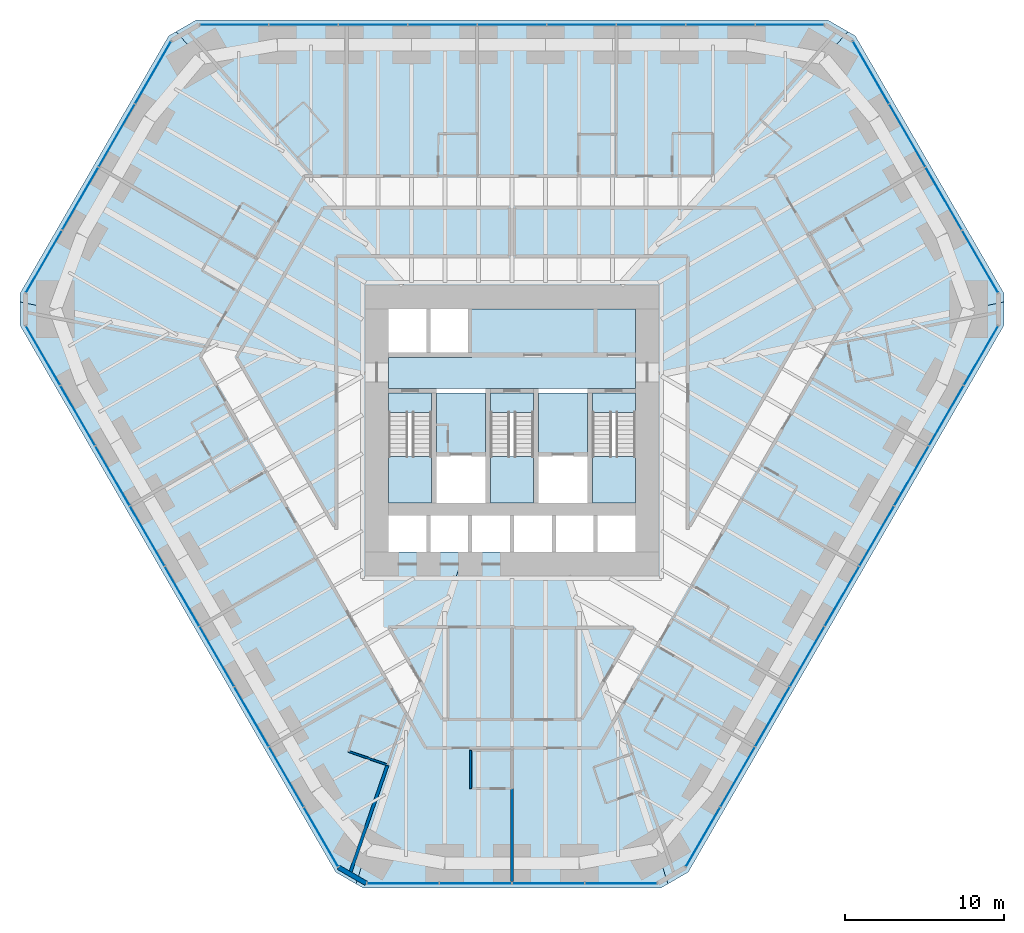
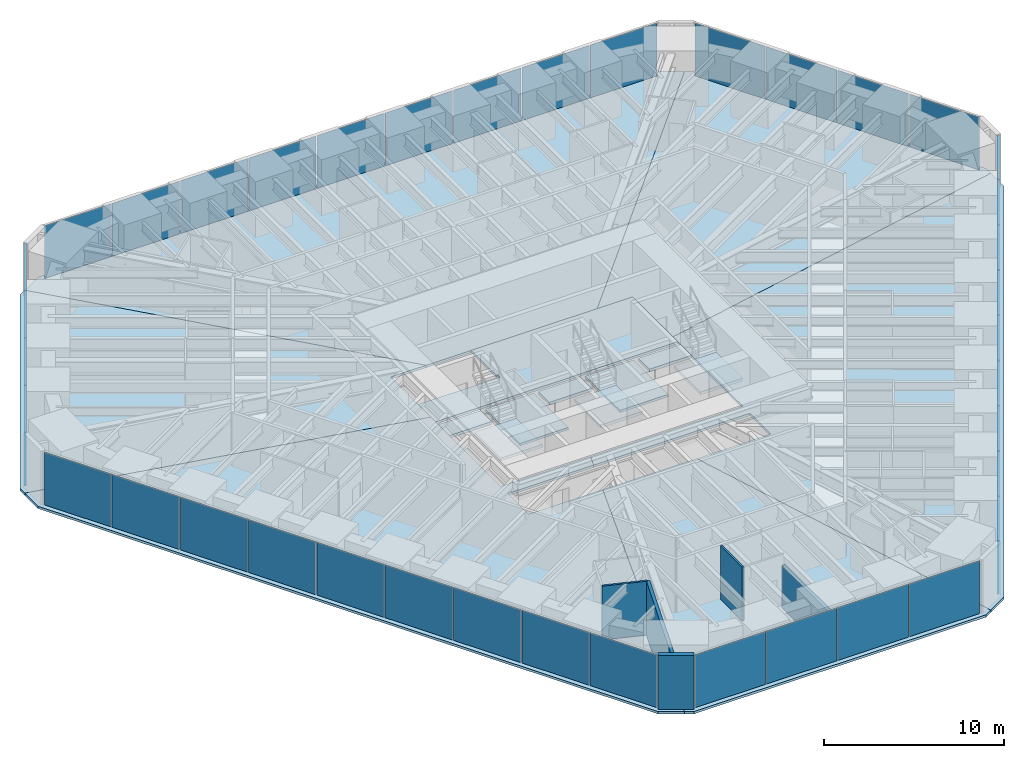
# One storey, part 10 of 17: 39 plates, 15 slabs, 5 walls, 9 elements without a shape of their own.
"""IFC4 building model written with IfcOpenShell, lengths in metres."""

from ifc_helpers import new_model, si_unit, direction, frame, frame_2d, origin, origin_2d, place, context, subcontext, project, spatial, polyline, rectangle, outline, extrude, material, layer, layer_set, type_object, element, aggregate, save


model = new_model("IFC4")

# Units and contexts
model_context = context("Model", 3, precision=1e-05, world=origin(), true_north=direction((0.0, 1.0)))
body_context = subcontext(model_context, "Body", "Model", "MODEL_VIEW")
ifc_project = project(units=[si_unit("LENGTHUNIT", "METRE"), si_unit("AREAUNIT", "SQUARE_METRE"), si_unit("VOLUMEUNIT", "CUBIC_METRE"), si_unit("PLANEANGLEUNIT", "RADIAN"), si_unit("MASSUNIT", "GRAM", prefix="KILO")], contexts=[model_context])

# Site, building, storey
site_placement = place(None, origin())
site = spatial("IfcSite", under=ifc_project, at=site_placement, CompositionType="ELEMENT")
building_placement = place(site_placement, origin())
building = spatial("IfcBuilding", under=site, at=building_placement, Name="Sandreach Pilgrim Tower", CompositionType="ELEMENT")
storey_placement = place(building_placement, frame((0.0, 0.0, 34.39990234375)))
storey = spatial("IfcBuildingStorey", under=building, at=storey_placement, Name="L07", CompositionType="ELEMENT", Elevation=34.39990234375)

# Curtain wall, plates
ifc_material_1 = material(Name="Aluminium framed curtain wall", Category="aluminium")
curtain_wall_type = type_object("IfcCurtainWallType", Name="Hostel tower curtain wall", PredefinedType="NOTDEFINED", material=ifc_material_1)
curtain_wall_1_placement = place(storey_placement, origin())
curtain_wall_1 = element("IfcCurtainWall", 1, at=curtain_wall_1_placement, inside=storey, type_object=curtain_wall_type, Name="CW-1 L07 N", PredefinedType="NOTDEFINED")
ifc_material_2 = material(Name="Insulating glass unit 6 heat-strengthened + 12 argon + 6 heat-strengthened", Category="glass")
ifc_layer_1 = layer(ifc_material_2, 0.02392578125)
ifc_layer_set_1 = layer_set([ifc_layer_1], Name="CW-1 panel")
plate_type = type_object("IfcPlateType", Name="CW-1 panel", PredefinedType="CURTAIN_PANEL", material=ifc_layer_set_1)
plate_1_placement = place(storey_placement, frame((-17.469970703125, 23.94873046875, 0.0), z_axis=(0.0, 0.0, 1.0), x_axis=(1.0, 0.0, 0.0)))
plate_1 = element("IfcPlate", 2, at=plate_1_placement, type_object=plate_type, Name="CW-1 panel 1", PredefinedType="CURTAIN_PANEL", context=body_context, shape_type="SweptSolid", body=[
    extrude(rectangle(XDim=4.274169921875, YDim=0.02392578125, at=origin_2d()), origin(), (0.0, 0.0, 1.0), 3.570068359375),
])
plate_2_placement = place(storey_placement, frame((-13.11474609375, 23.94873046875, 0.0), z_axis=(0.0, 0.0, 1.0), x_axis=(1.0, 0.0, 0.0)))
plate_2 = element("IfcPlate", 3, at=plate_2_placement, type_object=plate_type, Name="CW-1 panel 2", PredefinedType="CURTAIN_PANEL", context=body_context, shape_type="SweptSolid", body=[
    extrude(rectangle(XDim=4.306640625, YDim=0.02392578125, at=origin_2d()), origin(), (0.0, 0.0, 1.0), 3.570068359375),
])
plate_3_placement = place(storey_placement, frame((-8.7431640625, 23.94873046875, 0.0), z_axis=(0.0, 0.0, 1.0), x_axis=(1.0, 0.0, 0.0)))
plate_3 = element("IfcPlate", 4, at=plate_3_placement, type_object=plate_type, Name="CW-1 panel 3", PredefinedType="CURTAIN_PANEL", context=body_context, shape_type="SweptSolid", body=[
    extrude(rectangle(XDim=4.306640625, YDim=0.02392578125, at=origin_2d()), origin(), (0.0, 0.0, 1.0), 3.570068359375),
])
plate_4_placement = place(storey_placement, frame((-4.37158203125, 23.94873046875, 0.0), z_axis=(0.0, 0.0, 1.0), x_axis=(1.0, 0.0, 0.0)))
plate_4 = element("IfcPlate", 5, at=plate_4_placement, type_object=plate_type, Name="CW-1 panel 4", PredefinedType="CURTAIN_PANEL", context=body_context, shape_type="SweptSolid", body=[
    extrude(rectangle(XDim=4.306640625, YDim=0.02392578125, at=origin_2d()), origin(), (0.0, 0.0, 1.0), 3.570068359375),
])
plate_5_placement = place(storey_placement, frame((0.0, 23.94873046875, 0.0), z_axis=(0.0, 0.0, 1.0), x_axis=(1.0, 0.0, 0.0)))
plate_5 = element("IfcPlate", 6, at=plate_5_placement, type_object=plate_type, Name="CW-1 panel 5", PredefinedType="CURTAIN_PANEL", context=body_context, shape_type="SweptSolid", body=[
    extrude(rectangle(XDim=4.306640625, YDim=0.02392578125, at=origin_2d()), origin(), (0.0, 0.0, 1.0), 3.570068359375),
])
plate_6_placement = place(storey_placement, frame((4.37158203125, 23.94873046875, 0.0), z_axis=(0.0, 0.0, 1.0), x_axis=(1.0, 0.0, 0.0)))
plate_6 = element("IfcPlate", 7, at=plate_6_placement, type_object=plate_type, Name="CW-1 panel 6", PredefinedType="CURTAIN_PANEL", context=body_context, shape_type="SweptSolid", body=[
    extrude(rectangle(XDim=4.306640625, YDim=0.02392578125, at=origin_2d()), origin(), (0.0, 0.0, 1.0), 3.570068359375),
])
plate_7_placement = place(storey_placement, frame((8.7431640625, 23.94873046875, 0.0), z_axis=(0.0, 0.0, 1.0), x_axis=(1.0, 0.0, 0.0)))
plate_7 = element("IfcPlate", 8, at=plate_7_placement, type_object=plate_type, Name="CW-1 panel 7", PredefinedType="CURTAIN_PANEL", context=body_context, shape_type="SweptSolid", body=[
    extrude(rectangle(XDim=4.306640625, YDim=0.02392578125, at=origin_2d()), origin(), (0.0, 0.0, 1.0), 3.570068359375),
])
plate_8_placement = place(storey_placement, frame((13.11474609375, 23.94873046875, 0.0), z_axis=(0.0, 0.0, 1.0), x_axis=(1.0, 0.0, 0.0)))
plate_8 = element("IfcPlate", 9, at=plate_8_placement, type_object=plate_type, Name="CW-1 panel 8", PredefinedType="CURTAIN_PANEL", context=body_context, shape_type="SweptSolid", body=[
    extrude(rectangle(XDim=4.306640625, YDim=0.02392578125, at=origin_2d()), origin(), (0.0, 0.0, 1.0), 3.570068359375),
])
plate_9_placement = place(storey_placement, frame((17.469970703125, 23.94873046875, 0.0), z_axis=(0.0, 0.0, 1.0), x_axis=(1.0, 0.0, 0.0)))
plate_9 = element("IfcPlate", 10, at=plate_9_placement, type_object=plate_type, Name="CW-1 panel 9", PredefinedType="CURTAIN_PANEL", context=body_context, shape_type="SweptSolid", body=[
    extrude(rectangle(XDim=4.274169921875, YDim=0.02392578125, at=origin_2d()), origin(), (0.0, 0.0, 1.0), 3.570068359375),
])
aggregate(curtain_wall_1, [plate_1, plate_2, plate_3, plate_4, plate_5, plate_6, plate_7, plate_8, plate_9])

curtain_wall_2_placement = place(storey_placement, origin())
curtain_wall_2 = element("IfcCurtainWall", 11, at=curtain_wall_2_placement, inside=storey, type_object=curtain_wall_type, Name="CW-1 L07 NE", PredefinedType="NOTDEFINED")
plate_10_placement = place(storey_placement, frame((22.558837890625, 20.94873046875, 0.0), z_axis=(0.0, 0.0, 1.0), x_axis=(0.5, -0.866025403784, 0.0)))
plate_10 = element("IfcPlate", 12, at=plate_10_placement, type_object=plate_type, Name="CW-1 panel 1", PredefinedType="CURTAIN_PANEL", context=body_context, shape_type="SweptSolid", body=[
    extrude(rectangle(XDim=4.488525390625, YDim=0.02392578125, at=origin_2d()), origin(), (0.0, 0.0, 1.0), 3.570068359375),
])
plate_11_placement = place(storey_placement, frame((24.84375, 16.9912109375, 0.0), z_axis=(0.0, 0.0, 1.0), x_axis=(0.5, -0.866025403784, 0.0)))
plate_11 = element("IfcPlate", 13, at=plate_11_placement, type_object=plate_type, Name="CW-1 panel 2", PredefinedType="CURTAIN_PANEL", context=body_context, shape_type="SweptSolid", body=[
    extrude(rectangle(XDim=4.52099609375, YDim=0.02392578125, at=origin_2d()), origin(), (0.0, 0.0, 1.0), 3.570068359375),
])
plate_12_placement = place(storey_placement, frame((27.13671875, 13.01953125, 0.0), z_axis=(0.0, 0.0, 1.0), x_axis=(0.5, -0.866025403784, 0.0)))
plate_12 = element("IfcPlate", 14, at=plate_12_placement, type_object=plate_type, Name="CW-1 panel 3", PredefinedType="CURTAIN_PANEL", context=body_context, shape_type="SweptSolid", body=[
    extrude(rectangle(XDim=4.52099609375, YDim=0.02392578125, at=origin_2d()), origin(), (0.0, 0.0, 1.0), 3.570068359375),
])
plate_13_placement = place(storey_placement, frame((29.421630859375, 9.06201171875, 0.0), z_axis=(0.0, 0.0, 1.0), x_axis=(0.5, -0.866025403784, 0.0)))
plate_13 = element("IfcPlate", 15, at=plate_13_placement, type_object=plate_type, Name="CW-1 panel 4", PredefinedType="CURTAIN_PANEL", context=body_context, shape_type="SweptSolid", body=[
    extrude(rectangle(XDim=4.488525390625, YDim=0.02392578125, at=origin_2d()), origin(), (0.0, 0.0, 1.0), 3.570068359375),
])
aggregate(curtain_wall_2, [plate_10, plate_11, plate_12, plate_13])

curtain_wall_3_placement = place(storey_placement, origin())
curtain_wall_3 = element("IfcCurtainWall", 16, at=curtain_wall_3_placement, inside=storey, type_object=curtain_wall_type, Name="CW-1 L07 SE", PredefinedType="NOTDEFINED")
plate_14_placement = place(storey_placement, frame((29.475341796875, 3.1552734375, 0.0), z_axis=(0.0, 0.0, 1.0), x_axis=(-0.5, -0.866025403784, 0.0)))
plate_14 = element("IfcPlate", 17, at=plate_14_placement, type_object=plate_type, Name="CW-1 panel 1", PredefinedType="CURTAIN_PANEL", context=body_context, shape_type="SweptSolid", body=[
    extrude(rectangle(XDim=4.274169921875, YDim=0.02392578125, at=origin_2d()), origin(), (0.0, 0.0, 1.0), 3.570068359375),
])
plate_15_placement = place(storey_placement, frame((27.297607421875, -0.61669921875, 0.0), z_axis=(0.0, 0.0, 1.0), x_axis=(-0.5, -0.866025403784, 0.0)))
plate_15 = element("IfcPlate", 18, at=plate_15_placement, type_object=plate_type, Name="CW-1 panel 2", PredefinedType="CURTAIN_PANEL", context=body_context, shape_type="SweptSolid", body=[
    extrude(rectangle(XDim=4.306640625, YDim=0.02392578125, at=origin_2d()), origin(), (0.0, 0.0, 1.0), 3.570068359375),
])
plate_16_placement = place(storey_placement, frame((25.11181640625, -4.402587890625, 0.0), z_axis=(0.0, 0.0, 1.0), x_axis=(-0.5, -0.866025403784, 0.0)))
plate_16 = element("IfcPlate", 19, at=plate_16_placement, type_object=plate_type, Name="CW-1 panel 3", PredefinedType="CURTAIN_PANEL", context=body_context, shape_type="SweptSolid", body=[
    extrude(rectangle(XDim=4.306640625, YDim=0.02392578125, at=origin_2d()), origin(), (0.0, 0.0, 1.0), 3.570068359375),
])
plate_17_placement = place(storey_placement, frame((22.926025390625, -8.1884765625, 0.0), z_axis=(0.0, 0.0, 1.0), x_axis=(-0.5, -0.866025403784, 0.0)))
plate_17 = element("IfcPlate", 20, at=plate_17_placement, type_object=plate_type, Name="CW-1 panel 4", PredefinedType="CURTAIN_PANEL", context=body_context, shape_type="SweptSolid", body=[
    extrude(rectangle(XDim=4.306640625, YDim=0.02392578125, at=origin_2d()), origin(), (0.0, 0.0, 1.0), 3.570068359375),
])
plate_18_placement = place(storey_placement, frame((20.740234375, -11.974365234375, 0.0), z_axis=(0.0, 0.0, 1.0), x_axis=(-0.5, -0.866025403784, 0.0)))
plate_18 = element("IfcPlate", 21, at=plate_18_placement, type_object=plate_type, Name="CW-1 panel 5", PredefinedType="CURTAIN_PANEL", context=body_context, shape_type="SweptSolid", body=[
    extrude(rectangle(XDim=4.306640625, YDim=0.02392578125, at=origin_2d()), origin(), (0.0, 0.0, 1.0), 3.570068359375),
])
plate_19_placement = place(storey_placement, frame((18.554443359375, -15.76025390625, 0.0), z_axis=(0.0, 0.0, 1.0), x_axis=(-0.5, -0.866025403784, 0.0)))
plate_19 = element("IfcPlate", 22, at=plate_19_placement, type_object=plate_type, Name="CW-1 panel 6", PredefinedType="CURTAIN_PANEL", context=body_context, shape_type="SweptSolid", body=[
    extrude(rectangle(XDim=4.306640625, YDim=0.02392578125, at=origin_2d()), origin(), (0.0, 0.0, 1.0), 3.570068359375),
])
plate_20_placement = place(storey_placement, frame((16.36865234375, -19.546142578125, 0.0), z_axis=(0.0, 0.0, 1.0), x_axis=(-0.5, -0.866025403784, 0.0)))
plate_20 = element("IfcPlate", 23, at=plate_20_placement, type_object=plate_type, Name="CW-1 panel 7", PredefinedType="CURTAIN_PANEL", context=body_context, shape_type="SweptSolid", body=[
    extrude(rectangle(XDim=4.306640625, YDim=0.02392578125, at=origin_2d()), origin(), (0.0, 0.0, 1.0), 3.570068359375),
])
plate_21_placement = place(storey_placement, frame((14.182861328125, -23.33203125, 0.0), z_axis=(0.0, 0.0, 1.0), x_axis=(-0.5, -0.866025403784, 0.0)))
plate_21 = element("IfcPlate", 24, at=plate_21_placement, type_object=plate_type, Name="CW-1 panel 8", PredefinedType="CURTAIN_PANEL", context=body_context, shape_type="SweptSolid", body=[
    extrude(rectangle(XDim=4.306640625, YDim=0.02392578125, at=origin_2d()), origin(), (0.0, 0.0, 1.0), 3.570068359375),
])
plate_22_placement = place(storey_placement, frame((12.005126953125, -27.103759765625, 0.0), z_axis=(0.0, 0.0, 1.0), x_axis=(-0.5, -0.866025403784, 0.0)))
plate_22 = element("IfcPlate", 25, at=plate_22_placement, type_object=plate_type, Name="CW-1 panel 9", PredefinedType="CURTAIN_PANEL", context=body_context, shape_type="SweptSolid", body=[
    extrude(rectangle(XDim=4.274169921875, YDim=0.02392578125, at=origin_2d()), origin(), (0.0, 0.0, 1.0), 3.570068359375),
])
aggregate(curtain_wall_3, [plate_14, plate_15, plate_16, plate_17, plate_18, plate_19, plate_20, plate_21, plate_22])

curtain_wall_4_placement = place(storey_placement, origin())
curtain_wall_4 = element("IfcCurtainWall", 26, at=curtain_wall_4_placement, inside=storey, type_object=curtain_wall_type, Name="CW-1 L07 S", PredefinedType="NOTDEFINED")
plate_23_placement = place(storey_placement, frame((6.86279296875, -30.010986328125, 0.0), z_axis=(0.0, 0.0, 1.0), x_axis=(-1.0, 0.0, 0.0)))
plate_23 = element("IfcPlate", 27, at=plate_23_placement, type_object=plate_type, Name="CW-1 panel 1", PredefinedType="CURTAIN_PANEL", context=body_context, shape_type="SweptSolid", body=[
    extrude(rectangle(XDim=4.488525390625, YDim=0.02392578125, at=origin_2d()), origin(), (0.0, 0.0, 1.0), 3.570068359375),
])
plate_24_placement = place(storey_placement, frame((2.29296875, -30.010986328125, 0.0), z_axis=(0.0, 0.0, 1.0), x_axis=(-1.0, 0.0, 0.0)))
plate_24 = element("IfcPlate", 28, at=plate_24_placement, type_object=plate_type, Name="CW-1 panel 2", PredefinedType="CURTAIN_PANEL", context=body_context, shape_type="SweptSolid", body=[
    extrude(rectangle(XDim=4.52099609375, YDim=0.02392578125, at=origin_2d()), origin(), (0.0, 0.0, 1.0), 3.570068359375),
])
plate_25_placement = place(storey_placement, frame((-2.29296875, -30.010986328125, 0.0), z_axis=(0.0, 0.0, 1.0), x_axis=(-1.0, 0.0, 0.0)))
plate_25 = element("IfcPlate", 29, at=plate_25_placement, type_object=plate_type, Name="CW-1 panel 3", PredefinedType="CURTAIN_PANEL", context=body_context, shape_type="SweptSolid", body=[
    extrude(rectangle(XDim=4.52099609375, YDim=0.02392578125, at=origin_2d()), origin(), (0.0, 0.0, 1.0), 3.570068359375),
])
plate_26_placement = place(storey_placement, frame((-6.86279296875, -30.010986328125, 0.0), z_axis=(0.0, 0.0, 1.0), x_axis=(-1.0, 0.0, 0.0)))
plate_26 = element("IfcPlate", 30, at=plate_26_placement, type_object=plate_type, Name="CW-1 panel 4", PredefinedType="CURTAIN_PANEL", context=body_context, shape_type="SweptSolid", body=[
    extrude(rectangle(XDim=4.488525390625, YDim=0.02392578125, at=origin_2d()), origin(), (0.0, 0.0, 1.0), 3.570068359375),
])
aggregate(curtain_wall_4, [plate_23, plate_24, plate_25, plate_26])

curtain_wall_5_placement = place(storey_placement, origin())
curtain_wall_5 = element("IfcCurtainWall", 31, at=curtain_wall_5_placement, inside=storey, type_object=curtain_wall_type, Name="CW-1 L07 SW", PredefinedType="NOTDEFINED")
plate_27_placement = place(storey_placement, frame((-12.005126953125, -27.103759765625, 0.0), z_axis=(0.0, 0.0, 1.0), x_axis=(-0.5, 0.866025403784, 0.0)))
plate_27 = element("IfcPlate", 32, at=plate_27_placement, type_object=plate_type, Name="CW-1 panel 1", PredefinedType="CURTAIN_PANEL", context=body_context, shape_type="SweptSolid", body=[
    extrude(rectangle(XDim=4.274169921875, YDim=0.02392578125, at=origin_2d()), origin(), (0.0, 0.0, 1.0), 3.570068359375),
])
plate_28_placement = place(storey_placement, frame((-14.182861328125, -23.33203125, 0.0), z_axis=(0.0, 0.0, 1.0), x_axis=(-0.5, 0.866025403784, 0.0)))
plate_28 = element("IfcPlate", 33, at=plate_28_placement, type_object=plate_type, Name="CW-1 panel 2", PredefinedType="CURTAIN_PANEL", context=body_context, shape_type="SweptSolid", body=[
    extrude(rectangle(XDim=4.306640625, YDim=0.02392578125, at=origin_2d()), origin(), (0.0, 0.0, 1.0), 3.570068359375),
])
plate_29_placement = place(storey_placement, frame((-16.36865234375, -19.546142578125, 0.0), z_axis=(0.0, 0.0, 1.0), x_axis=(-0.5, 0.866025403784, 0.0)))
plate_29 = element("IfcPlate", 34, at=plate_29_placement, type_object=plate_type, Name="CW-1 panel 3", PredefinedType="CURTAIN_PANEL", context=body_context, shape_type="SweptSolid", body=[
    extrude(rectangle(XDim=4.306640625, YDim=0.02392578125, at=origin_2d()), origin(), (0.0, 0.0, 1.0), 3.570068359375),
])
plate_30_placement = place(storey_placement, frame((-18.554443359375, -15.76025390625, 0.0), z_axis=(0.0, 0.0, 1.0), x_axis=(-0.5, 0.866025403784, 0.0)))
plate_30 = element("IfcPlate", 35, at=plate_30_placement, type_object=plate_type, Name="CW-1 panel 4", PredefinedType="CURTAIN_PANEL", context=body_context, shape_type="SweptSolid", body=[
    extrude(rectangle(XDim=4.306640625, YDim=0.02392578125, at=origin_2d()), origin(), (0.0, 0.0, 1.0), 3.570068359375),
])
plate_31_placement = place(storey_placement, frame((-20.740234375, -11.974365234375, 0.0), z_axis=(0.0, 0.0, 1.0), x_axis=(-0.5, 0.866025403784, 0.0)))
plate_31 = element("IfcPlate", 36, at=plate_31_placement, type_object=plate_type, Name="CW-1 panel 5", PredefinedType="CURTAIN_PANEL", context=body_context, shape_type="SweptSolid", body=[
    extrude(rectangle(XDim=4.306640625, YDim=0.02392578125, at=origin_2d()), origin(), (0.0, 0.0, 1.0), 3.570068359375),
])
plate_32_placement = place(storey_placement, frame((-22.926025390625, -8.1884765625, 0.0), z_axis=(0.0, 0.0, 1.0), x_axis=(-0.5, 0.866025403784, 0.0)))
plate_32 = element("IfcPlate", 37, at=plate_32_placement, type_object=plate_type, Name="CW-1 panel 6", PredefinedType="CURTAIN_PANEL", context=body_context, shape_type="SweptSolid", body=[
    extrude(rectangle(XDim=4.306640625, YDim=0.02392578125, at=origin_2d()), origin(), (0.0, 0.0, 1.0), 3.570068359375),
])
plate_33_placement = place(storey_placement, frame((-25.11181640625, -4.402587890625, 0.0), z_axis=(0.0, 0.0, 1.0), x_axis=(-0.5, 0.866025403784, 0.0)))
plate_33 = element("IfcPlate", 38, at=plate_33_placement, type_object=plate_type, Name="CW-1 panel 7", PredefinedType="CURTAIN_PANEL", context=body_context, shape_type="SweptSolid", body=[
    extrude(rectangle(XDim=4.306640625, YDim=0.02392578125, at=origin_2d()), origin(), (0.0, 0.0, 1.0), 3.570068359375),
])
plate_34_placement = place(storey_placement, frame((-27.297607421875, -0.61669921875, 0.0), z_axis=(0.0, 0.0, 1.0), x_axis=(-0.5, 0.866025403784, 0.0)))
plate_34 = element("IfcPlate", 39, at=plate_34_placement, type_object=plate_type, Name="CW-1 panel 8", PredefinedType="CURTAIN_PANEL", context=body_context, shape_type="SweptSolid", body=[
    extrude(rectangle(XDim=4.306640625, YDim=0.02392578125, at=origin_2d()), origin(), (0.0, 0.0, 1.0), 3.570068359375),
])
plate_35_placement = place(storey_placement, frame((-29.475341796875, 3.1552734375, 0.0), z_axis=(0.0, 0.0, 1.0), x_axis=(-0.5, 0.866025403784, 0.0)))
plate_35 = element("IfcPlate", 40, at=plate_35_placement, type_object=plate_type, Name="CW-1 panel 9", PredefinedType="CURTAIN_PANEL", context=body_context, shape_type="SweptSolid", body=[
    extrude(rectangle(XDim=4.274169921875, YDim=0.02392578125, at=origin_2d()), origin(), (0.0, 0.0, 1.0), 3.570068359375),
])
aggregate(curtain_wall_5, [plate_27, plate_28, plate_29, plate_30, plate_31, plate_32, plate_33, plate_34, plate_35])

curtain_wall_6_placement = place(storey_placement, origin())
curtain_wall_6 = element("IfcCurtainWall", 41, at=curtain_wall_6_placement, inside=storey, type_object=curtain_wall_type, Name="CW-1 L07 NW", PredefinedType="NOTDEFINED")
plate_36_placement = place(storey_placement, frame((-29.421630859375, 9.06201171875, 0.0), z_axis=(0.0, 0.0, 1.0), x_axis=(0.5, 0.866025403784, 0.0)))
plate_36 = element("IfcPlate", 42, at=plate_36_placement, type_object=plate_type, Name="CW-1 panel 1", PredefinedType="CURTAIN_PANEL", context=body_context, shape_type="SweptSolid", body=[
    extrude(rectangle(XDim=4.488525390625, YDim=0.02392578125, at=origin_2d()), origin(), (0.0, 0.0, 1.0), 3.570068359375),
])
plate_37_placement = place(storey_placement, frame((-27.13671875, 13.01953125, 0.0), z_axis=(0.0, 0.0, 1.0), x_axis=(0.5, 0.866025403784, 0.0)))
plate_37 = element("IfcPlate", 43, at=plate_37_placement, type_object=plate_type, Name="CW-1 panel 2", PredefinedType="CURTAIN_PANEL", context=body_context, shape_type="SweptSolid", body=[
    extrude(rectangle(XDim=4.52099609375, YDim=0.02392578125, at=origin_2d()), origin(), (0.0, 0.0, 1.0), 3.570068359375),
])
plate_38_placement = place(storey_placement, frame((-24.84375, 16.9912109375, 0.0), z_axis=(0.0, 0.0, 1.0), x_axis=(0.5, 0.866025403784, 0.0)))
plate_38 = element("IfcPlate", 44, at=plate_38_placement, type_object=plate_type, Name="CW-1 panel 3", PredefinedType="CURTAIN_PANEL", context=body_context, shape_type="SweptSolid", body=[
    extrude(rectangle(XDim=4.52099609375, YDim=0.02392578125, at=origin_2d()), origin(), (0.0, 0.0, 1.0), 3.570068359375),
])
plate_39_placement = place(storey_placement, frame((-22.558837890625, 20.94873046875, 0.0), z_axis=(0.0, 0.0, 1.0), x_axis=(0.5, 0.866025403784, 0.0)))
plate_39 = element("IfcPlate", 45, at=plate_39_placement, type_object=plate_type, Name="CW-1 panel 4", PredefinedType="CURTAIN_PANEL", context=body_context, shape_type="SweptSolid", body=[
    extrude(rectangle(XDim=4.488525390625, YDim=0.02392578125, at=origin_2d()), origin(), (0.0, 0.0, 1.0), 3.570068359375),
])
aggregate(curtain_wall_6, [plate_36, plate_37, plate_38, plate_39])

# Slabs
ifc_material_3 = material(Name="Concrete 8000 psi", Category="concrete")
ifc_layer_2 = layer(ifc_material_3, 0.159912109375)
ifc_layer_set_2 = layer_set([ifc_layer_2], Name="Composite floor slab 160")
slab_type_1 = type_object("IfcSlabType", Name="Composite floor slab 160", PredefinedType="FLOOR", material=ifc_layer_set_2)
slab_1_placement = place(storey_placement, frame((0.0, 0.0, -0.159912109375)))
element("IfcSlab", 46, at=slab_1_placement, inside=storey, type_object=slab_type_1, Name="Floor slab L07 N sector", PredefinedType="FLOOR", context=body_context, shape_type="SweptSolid", body=[
    extrude(outline(polyline([(-19.84521484375, 24.248779296875), (19.84521484375, 24.248779296875), (21.115478515625, 23.515380859375), (5.477294921875, 6.10009765625), (-5.477294921875, 6.10009765625), (-21.115478515625, 23.515380859375), (-19.84521484375, 24.248779296875)])), origin(), (0.0, 0.0, 1.0), 0.159912109375),
])
slab_2_placement = place(storey_placement, frame((0.0, 0.0, -0.159912109375)))
element("IfcSlab", 47, at=slab_2_placement, inside=storey, type_object=slab_type_1, Name="Floor slab L07 NE sector", PredefinedType="FLOOR", context=body_context, shape_type="SweptSolid", body=[
    extrude(outline(polyline([(21.577392578125, 23.248779296875), (30.922607421875, 7.062255859375), (30.922607421875, 6.52880859375), (7.75, 1.63623046875), (7.75, 6.10009765625), (5.477294921875, 6.10009765625), (21.115478515625, 23.515380859375), (21.577392578125, 23.248779296875)])), origin(), (0.0, 0.0, 1.0), 0.159912109375),
])
slab_3_placement = place(storey_placement, frame((0.0, 0.0, -0.159912109375)))
element("IfcSlab", 48, at=slab_3_placement, inside=storey, type_object=slab_type_1, Name="Floor slab L07 SE sector", PredefinedType="FLOOR", context=body_context, shape_type="SweptSolid", body=[
    extrude(outline(polyline([(11.077392578125, -29.310791015625), (9.80712890625, -30.044189453125), (3.003173828125, -9.199951171875), (7.75, -9.199951171875), (7.75, -6.89990234375), (-2.252197265625, -6.89990234375), (-1.9912109375, -6.10009765625), (7.75, -6.10009765625), (7.75, 1.63623046875), (30.922607421875, 6.52880859375), (30.922607421875, 5.062255859375), (11.077392578125, -29.310791015625)])), origin(), (0.0, 0.0, 1.0), 0.159912109375),
])
slab_4_placement = place(storey_placement, frame((0.0, 0.0, -0.159912109375)))
element("IfcSlab", 49, at=slab_4_placement, inside=storey, type_object=slab_type_1, Name="Floor slab L07 S sector", PredefinedType="FLOOR", context=body_context, shape_type="SweptSolid", body=[
    extrude(outline(polyline([(9.34521484375, -30.310791015625), (-9.34521484375, -30.310791015625), (-9.80712890625, -30.044189453125), (-3.003173828125, -9.199951171875), (3.003173828125, -9.199951171875), (9.80712890625, -30.044189453125), (9.34521484375, -30.310791015625)])), origin(), (0.0, 0.0, 1.0), 0.159912109375),
])
slab_5_placement = place(storey_placement, frame((0.0, 0.0, -0.159912109375)))
element("IfcSlab", 50, at=slab_5_placement, inside=storey, type_object=slab_type_1, Name="Floor slab L07 SW sector", PredefinedType="FLOOR", context=body_context, shape_type="SweptSolid", body=[
    extrude(outline(polyline([(-11.077392578125, -29.310791015625), (-30.922607421875, 5.062255859375), (-30.922607421875, 6.52880859375), (-7.75, 1.63623046875), (-7.75, -6.10009765625), (-1.9912109375, -6.10009765625), (-2.252197265625, -6.89990234375), (-7.75, -6.89990234375), (-7.75, -9.199951171875), (-3.003173828125, -9.199951171875), (-9.80712890625, -30.044189453125), (-11.077392578125, -29.310791015625)])), origin(), (0.0, 0.0, 1.0), 0.159912109375),
])
slab_6_placement = place(storey_placement, frame((0.0, 0.0, -0.159912109375)))
element("IfcSlab", 51, at=slab_6_placement, inside=storey, type_object=slab_type_1, Name="Floor slab L07 NW sector", PredefinedType="FLOOR", context=body_context, shape_type="SweptSolid", body=[
    extrude(outline(polyline([(-30.922607421875, 7.062255859375), (-21.577392578125, 23.248779296875), (-21.115478515625, 23.515380859375), (-5.477294921875, 6.10009765625), (-7.75, 6.10009765625), (-7.75, 1.63623046875), (-30.922607421875, 6.52880859375), (-30.922607421875, 7.062255859375)])), origin(), (0.0, 0.0, 1.0), 0.159912109375),
])
slab_7_placement = place(storey_placement, frame((0.0, 0.0, -0.159912109375)))
element("IfcSlab", 52, at=slab_7_placement, inside=storey, type_object=slab_type_1, Name="Core floor slab and stores L07", PredefinedType="FLOOR", context=body_context, shape_type="SweptSolid", body=[
    extrude(outline(polyline([(-7.75, 3.050048828125), (-5.375, 3.050048828125), (-5.125, 3.050048828125), (-2.5, 3.050048828125), (-2.5, 3.35009765625), (-2.60009765625, 3.35009765625), (-2.60009765625, 6.10009765625), (7.75, 6.10009765625), (7.75, 1.10009765625), (5.050048828125, 1.10009765625), (4.75, 1.10009765625), (1.64990234375, 1.10009765625), (1.35009765625, 1.10009765625), (-1.35009765625, 1.10009765625), (-1.64990234375, 1.10009765625), (-4.75, 1.10009765625), (-5.050048828125, 1.10009765625), (-7.75, 1.10009765625), (-7.75, 3.050048828125)])), origin(), (0.0, 0.0, 1.0), 0.159912109375),
])
slab_8_placement = place(storey_placement, frame((0.0, 0.0, -0.159912109375)))
element("IfcSlab", 53, at=slab_8_placement, inside=storey, type_object=slab_type_1, Name="Core floor slab and stores L07 2", PredefinedType="FLOOR", context=body_context, shape_type="SweptSolid", body=[
    extrude(outline(polyline([(-1.64990234375, -3.050048828125), (-4.75, -3.050048828125), (-4.75, 0.800048828125), (-1.64990234375, 0.800048828125), (-1.64990234375, -3.050048828125)])), origin(), (0.0, 0.0, 1.0), 0.159912109375),
])
slab_9_placement = place(storey_placement, frame((0.0, 0.0, -0.159912109375)))
element("IfcSlab", 54, at=slab_9_placement, inside=storey, type_object=slab_type_1, Name="Core floor slab and stores L07 3", PredefinedType="FLOOR", context=body_context, shape_type="SweptSolid", body=[
    extrude(outline(polyline([(4.75, -3.050048828125), (1.64990234375, -3.050048828125), (1.64990234375, 0.800048828125), (4.75, 0.800048828125), (4.75, -3.050048828125)])), origin(), (0.0, 0.0, 1.0), 0.159912109375),
])

# Stair, slabs
ifc_material_4 = material(Name="Concrete 8000 psi", Category="concrete")
stair_type = type_object("IfcStairType", Name="Core exit stair", PredefinedType="HALF_TURN_STAIR", material=ifc_material_4)
stair_1_placement = place(storey_placement, origin())
stair_1 = element("IfcStair", 55, at=stair_1_placement, inside=storey, type_object=stair_type, Name="Exit stair ST1 L07", PredefinedType="HALF_TURN_STAIR")
ifc_material_5 = material(Name="Concrete 8000 psi", Category="concrete")
ifc_layer_3 = layer(ifc_material_5, 0.199951171875)
ifc_layer_set_3 = layer_set([ifc_layer_3], Name="Core stair landing 200")
slab_type_2 = type_object("IfcSlabType", Name="Core stair landing 200", PredefinedType="LANDING", material=ifc_layer_set_3)
slab_10_placement = place(storey_placement, frame((0.0, 0.0, -0.199951171875)))
slab_10 = element("IfcSlab", 56, at=slab_10_placement, type_object=slab_type_2, Name="ST1 landing 1", PredefinedType="LANDING", context=body_context, shape_type="SweptSolid", body=[
    extrude(outline(polyline([(-7.75, -0.425048828125), (-5.050048828125, -0.425048828125), (-5.050048828125, 0.800048828125), (-7.75, 0.800048828125), (-7.75, -0.425048828125)])), origin(), (0.0, 0.0, 1.0), 0.199951171875),
])
slab_11_placement = place(storey_placement, frame((0.0, 0.0, 1.7001953125)))
slab_11 = element("IfcSlab", 57, at=slab_11_placement, type_object=slab_type_2, Name="ST1 landing 2", PredefinedType="LANDING", context=body_context, shape_type="SweptSolid", body=[
    extrude(outline(polyline([(-7.75, -6.10009765625), (-5.050048828125, -6.10009765625), (-5.050048828125, -3.175048828125), (-7.75, -3.175048828125), (-7.75, -6.10009765625)])), origin(), (0.0, 0.0, 1.0), 0.199951171875),
])
aggregate(stair_1, [slab_10, slab_11])

stair_2_placement = place(storey_placement, origin())
stair_2 = element("IfcStair", 58, at=stair_2_placement, inside=storey, type_object=stair_type, Name="Exit stair ST3 L07", PredefinedType="HALF_TURN_STAIR")
slab_12_placement = place(storey_placement, frame((0.0, 0.0, -0.199951171875)))
slab_12 = element("IfcSlab", 59, at=slab_12_placement, type_object=slab_type_2, Name="ST3 landing 1", PredefinedType="LANDING", context=body_context, shape_type="SweptSolid", body=[
    extrude(outline(polyline([(-1.35009765625, -0.425048828125), (1.35009765625, -0.425048828125), (1.35009765625, 0.800048828125), (-1.35009765625, 0.800048828125), (-1.35009765625, -0.425048828125)])), origin(), (0.0, 0.0, 1.0), 0.199951171875),
])
slab_13_placement = place(storey_placement, frame((0.0, 0.0, 1.7001953125)))
slab_13 = element("IfcSlab", 60, at=slab_13_placement, type_object=slab_type_2, Name="ST3 landing 2", PredefinedType="LANDING", context=body_context, shape_type="SweptSolid", body=[
    extrude(outline(polyline([(-1.35009765625, -6.10009765625), (1.35009765625, -6.10009765625), (1.35009765625, -3.175048828125), (-1.35009765625, -3.175048828125), (-1.35009765625, -6.10009765625)])), origin(), (0.0, 0.0, 1.0), 0.199951171875),
])
aggregate(stair_2, [slab_12, slab_13])

stair_3_placement = place(storey_placement, origin())
stair_3 = element("IfcStair", 61, at=stair_3_placement, inside=storey, type_object=stair_type, Name="Exit stair ST2 L07", PredefinedType="HALF_TURN_STAIR")
slab_14_placement = place(storey_placement, frame((0.0, 0.0, -0.199951171875)))
slab_14 = element("IfcSlab", 62, at=slab_14_placement, type_object=slab_type_2, Name="ST2 landing 1", PredefinedType="LANDING", context=body_context, shape_type="SweptSolid", body=[
    extrude(outline(polyline([(5.050048828125, -0.425048828125), (7.75, -0.425048828125), (7.75, 0.800048828125), (5.050048828125, 0.800048828125), (5.050048828125, -0.425048828125)])), origin(), (0.0, 0.0, 1.0), 0.199951171875),
])
slab_15_placement = place(storey_placement, frame((0.0, 0.0, 1.7001953125)))
slab_15 = element("IfcSlab", 63, at=slab_15_placement, type_object=slab_type_2, Name="ST2 landing 2", PredefinedType="LANDING", context=body_context, shape_type="SweptSolid", body=[
    extrude(outline(polyline([(5.050048828125, -6.10009765625), (7.75, -6.10009765625), (7.75, -3.175048828125), (5.050048828125, -3.175048828125), (5.050048828125, -6.10009765625)])), origin(), (0.0, 0.0, 1.0), 0.199951171875),
])
aggregate(stair_3, [slab_14, slab_15])

# Walls
ifc_material_6 = material(Name="Moisture-resistant gypsum board on steel studs", Category="steel")
ifc_layer_4 = layer(ifc_material_6, 0.1201171875)
ifc_layer_set_4 = layer_set([ifc_layer_4], Name="Bathroom partition 120")
wall_type_1 = type_object("IfcWallType", Name="Bathroom partition 120", PredefinedType="PARTITIONING", material=ifc_layer_set_4)
wall_1_placement = place(storey_placement, frame((-10.280029296875, -21.719970703125, 0.0), z_axis=(0.0, 0.0, 1.0), x_axis=(0.94515546045, -0.326620813149, 0.0)))
element("IfcWall", 64, at=wall_1_placement, inside=storey, type_object=wall_type_1, Name="Bathroom partition L07-041", PredefinedType="PARTITIONING", context=body_context, shape_type="SweptSolid", body=[
    extrude(rectangle(XDim=2.602783203125, YDim=0.1201171875, at=frame_2d((1.30126953125, 0.0))), origin(), (0.0, 0.0, 1.0), 3.64013671875),
])
wall_2_placement = place(storey_placement, frame((-2.60009765625, -21.659912109375, 0.0), z_axis=(0.0, 0.0, 1.0), x_axis=(0.0, -1.0, 0.0)))
element("IfcWall", 65, at=wall_2_placement, inside=storey, type_object=wall_type_1, Name="Bathroom partition L07-056", PredefinedType="PARTITIONING", context=body_context, shape_type="SweptSolid", body=[
    extrude(rectangle(XDim=2.400146484375, YDim=0.1201171875, at=frame_2d((1.2001953125, 0.0))), origin(), (0.0, 0.0, 1.0), 3.64013671875),
])
ifc_material_7 = material(Name="Double steel stud acoustic wall, gypsum board", Category="steel")
ifc_layer_5 = layer(ifc_material_7, 0.199951171875)
ifc_layer_set_5 = layer_set([ifc_layer_5], Name="Party wall 200")
wall_type_2 = type_object("IfcWallType", Name="Party wall 200", PredefinedType="PARTITIONING", material=ifc_layer_set_5)
wall_3_placement = place(storey_placement, frame((-10.2001953125, -29.441650390625, 0.0), z_axis=(0.0, 0.0, 1.0), x_axis=(0.327154379454, 0.944970905374, 0.0)))
element("IfcWall", 66, at=wall_3_placement, inside=storey, type_object=wall_type_2, Name="Party wall L07-042", PredefinedType="PARTITIONING", context=body_context, shape_type="SweptSolid", body=[
    extrude(rectangle(XDim=7.272216796875, YDim=0.199951171875, at=frame_2d((3.63623046875, 0.0))), origin(), (0.0, 0.0, 1.0), 3.64013671875),
])
wall_4_placement = place(storey_placement, frame((0.0, -29.889892578125, 0.0), z_axis=(0.0, 0.0, 1.0), x_axis=(0.0, 1.0, 0.0)))
element("IfcWall", 67, at=wall_4_placement, inside=storey, type_object=wall_type_2, Name="Party wall L07-063", PredefinedType="PARTITIONING", context=body_context, shape_type="SweptSolid", body=[
    extrude(rectangle(XDim=5.829833984375, YDim=0.199951171875, at=frame_2d((2.9150390625, 0.0))), origin(), (0.0, 0.0, 1.0), 2.8603515625),
])
ifc_material_8 = material(Name="Terracotta rainscreen on concrete", Category="masonry")
ifc_layer_6 = layer(ifc_material_8, 0.300048828125)
ifc_layer_set_6 = layer_set([ifc_layer_6], Name="Terracotta chamfer pier")
wall_type_3 = type_object("IfcWallType", Name="Terracotta chamfer pier", PredefinedType="SOLIDWALL", material=ifc_layer_set_6)
wall_5_placement = place(storey_placement, frame((-9.172119140625, -30.010986328125, 0.0), z_axis=(0.0, 0.0, 1.0), x_axis=(-0.866010750942, 0.50002537861, 0.0)))
element("IfcWall", 68, at=wall_5_placement, inside=storey, type_object=wall_type_3, Name="Chamfer pier L07 S", PredefinedType="SOLIDWALL", context=body_context, shape_type="SweptSolid", body=[
    extrude(rectangle(XDim=2.0, YDim=0.300048828125, at=frame_2d((1.0, 0.0))), origin(), (0.0, 0.0, 1.0), 3.64013671875),
])

save(model, "model.ifc")
